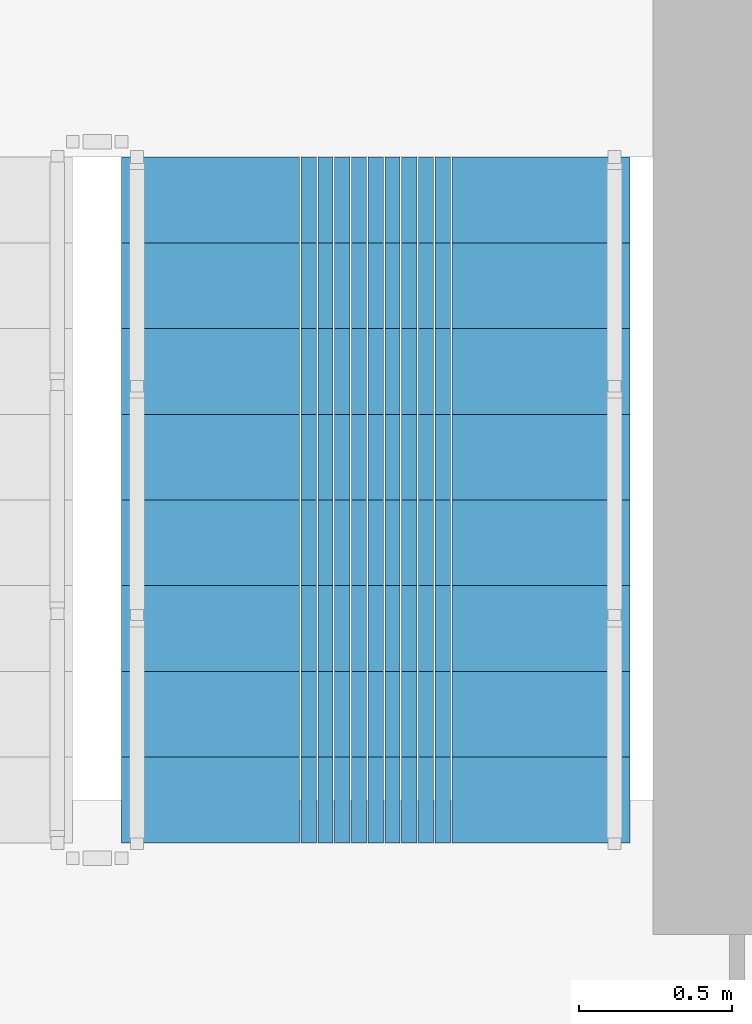
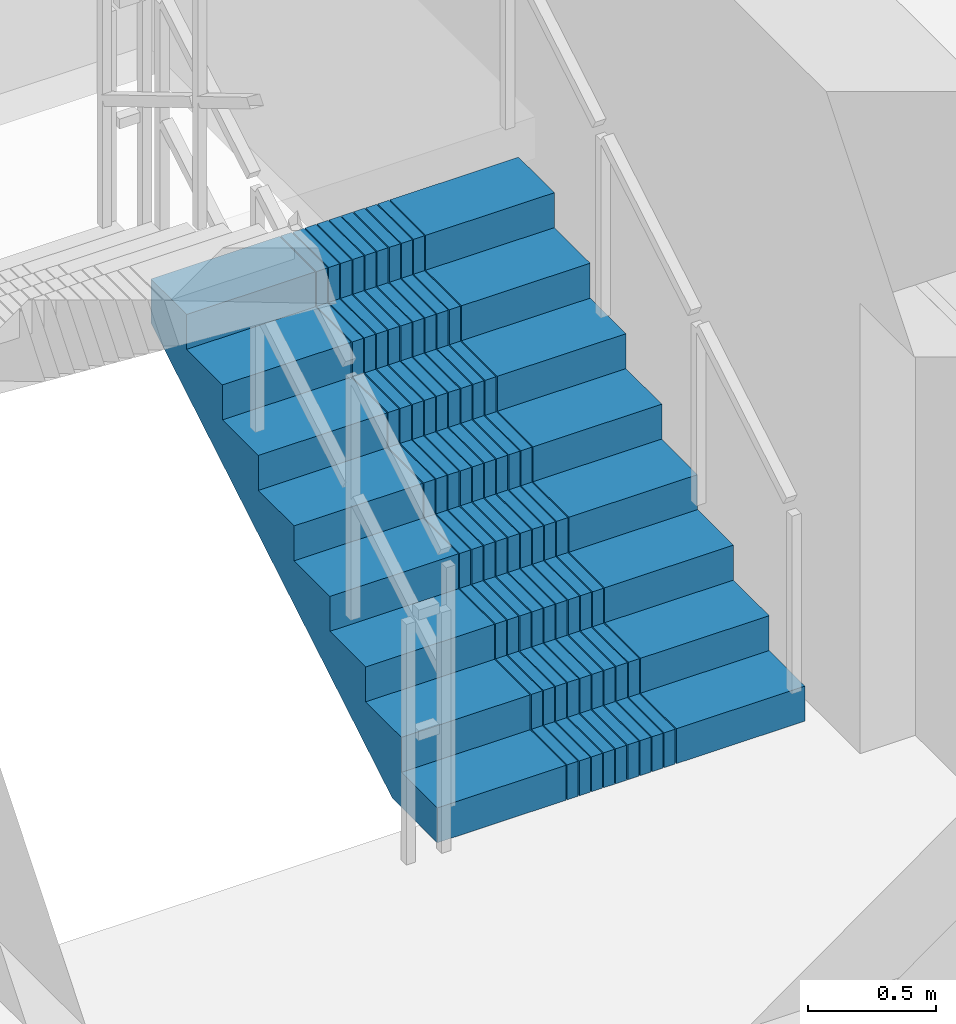
# One storey, part 10 of 14: 1 stair flight, 1 element without a shape of its own.
"""IFC4 building model written with IfcOpenShell, lengths in metres."""

from ifc_helpers import new_model, si_unit, direction, frame, origin, place, context, subcontext, project, spatial, polyline, outline, extrude, material, type_object, element, aggregate, save


model = new_model("IFC4")

# Units and contexts
model_context = context("Model", 3, precision=1e-05, world=origin(), true_north=direction((0.0, 1.0)))
body_context = subcontext(model_context, "Body", "Model", "MODEL_VIEW")
ifc_project = project(units=[si_unit("LENGTHUNIT", "METRE"), si_unit("AREAUNIT", "SQUARE_METRE"), si_unit("VOLUMEUNIT", "CUBIC_METRE"), si_unit("PLANEANGLEUNIT", "RADIAN"), si_unit("MASSUNIT", "GRAM", prefix="KILO")], contexts=[model_context])

# Site, building, storey
site_placement = place(None, origin())
site = spatial("IfcSite", under=ifc_project, at=site_placement, CompositionType="ELEMENT")
building_placement = place(site_placement, origin())
building = spatial("IfcBuilding", under=site, at=building_placement, Name="Saelheon Loggia Tower", CompositionType="ELEMENT")
storey_placement = place(building_placement, frame((0.0, 0.0, 86.85009765625)))
storey = spatial("IfcBuildingStorey", under=building, at=storey_placement, Name="L27", CompositionType="ELEMENT", Elevation=86.85009765625)

# Stair, stair flight
ifc_material = material(Name="Concrete C40/50", Category="concrete")
stair_type = type_object("IfcStairType", Name="Stair_Escape_Core", PredefinedType="HALF_TURN_STAIR", material=ifc_material)
stair_placement = place(storey_placement, origin())
stair = element("IfcStair", 1, at=stair_placement, inside=storey, type_object=stair_type, Name="L27 Special Escape Stair ST2", PredefinedType="HALF_TURN_STAIR")
stair_flight_type = type_object("IfcStairFlightType", Name="StairFlight_Tower_1660", PredefinedType="STRAIGHT", material=ifc_material)
stair_flight_placement = place(storey_placement, frame((43.320068359375, 30.449951171875, 0.0), z_axis=(0.0, 0.0, 1.0), x_axis=(0.0, 1.0, 0.0)))
stair_flight = element("IfcStairFlight", 2, at=stair_flight_placement, type_object=stair_flight_type, Name="ST2 flight 1", NumberOfRisers=9, NumberOfTreads=8, PredefinedType="STRAIGHT", RiserHeight=0.166666667, TreadLength=0.28, context=body_context, shape_type="SweptSolid", body=[
    extrude(outline(polyline([(0.0, 0.0), (0.0, 0.166748046875), (0.280029296875, 0.166748046875), (0.280029296875, 0.333251953125), (0.56005859375, 0.333251953125), (0.56005859375, 0.5), (0.840087890625, 0.5), (0.840087890625, 0.666748046875), (1.1201171875, 0.666748046875), (1.1201171875, 0.833251953125), (1.39990234375, 0.833251953125), (1.39990234375, 1.0), (1.679931640625, 1.0), (1.679931640625, 1.166748046875), (1.9599609375, 1.166748046875), (1.9599609375, 1.333251953125), (2.239990234375, 1.333251953125), (2.239990234375, 1.5), (2.239990234375, 1.1240234375), (0.351806640625, 0.0), (0.0, 0.0)])), frame((0.0, -0.2490234375, 0.0), z_axis=(0.0, -1.0, 0.0), x_axis=(1.0, 0.0, 0.0)), (0.0, 0.0, 1.0), 0.5810546875),
    extrude(outline(polyline([(0.0, 0.0), (0.0, 0.166748046875), (0.280029296875, 0.166748046875), (0.280029296875, 0.333251953125), (0.56005859375, 0.333251953125), (0.56005859375, 0.5), (0.840087890625, 0.5), (0.840087890625, 0.666748046875), (1.1201171875, 0.666748046875), (1.1201171875, 0.833251953125), (1.39990234375, 0.833251953125), (1.39990234375, 1.0), (1.679931640625, 1.0), (1.679931640625, 1.166748046875), (1.9599609375, 1.166748046875), (1.9599609375, 1.333251953125), (2.239990234375, 1.333251953125), (2.239990234375, 1.5), (2.239990234375, 1.1240234375), (0.351806640625, 0.0), (0.0, 0.0)])), frame((0.0, -0.194091796875, 0.0), z_axis=(0.0, -1.0, 0.0), x_axis=(1.0, 0.0, 0.0)), (0.0, 0.0, 1.0), 0.0498046875),
    extrude(outline(polyline([(0.0, 0.0), (0.0, 0.166748046875), (0.280029296875, 0.166748046875), (0.280029296875, 0.333251953125), (0.56005859375, 0.333251953125), (0.56005859375, 0.5), (0.840087890625, 0.5), (0.840087890625, 0.666748046875), (1.1201171875, 0.666748046875), (1.1201171875, 0.833251953125), (1.39990234375, 0.833251953125), (1.39990234375, 1.0), (1.679931640625, 1.0), (1.679931640625, 1.166748046875), (1.9599609375, 1.166748046875), (1.9599609375, 1.333251953125), (2.239990234375, 1.333251953125), (2.239990234375, 1.5), (2.239990234375, 1.1240234375), (0.351806640625, 0.0), (0.0, 0.0)])), frame((0.0, -0.139404296875, 0.0), z_axis=(0.0, -1.0, 0.0), x_axis=(1.0, 0.0, 0.0)), (0.0, 0.0, 1.0), 0.0498046875),
    extrude(outline(polyline([(0.0, 0.0), (0.0, 0.166748046875), (0.280029296875, 0.166748046875), (0.280029296875, 0.333251953125), (0.56005859375, 0.333251953125), (0.56005859375, 0.5), (0.840087890625, 0.5), (0.840087890625, 0.666748046875), (1.1201171875, 0.666748046875), (1.1201171875, 0.833251953125), (1.39990234375, 0.833251953125), (1.39990234375, 1.0), (1.679931640625, 1.0), (1.679931640625, 1.166748046875), (1.9599609375, 1.166748046875), (1.9599609375, 1.333251953125), (2.239990234375, 1.333251953125), (2.239990234375, 1.5), (2.239990234375, 1.1240234375), (0.351806640625, 0.0), (0.0, 0.0)])), frame((0.0, -0.084716796875, 0.0), z_axis=(0.0, -1.0, 0.0), x_axis=(1.0, 0.0, 0.0)), (0.0, 0.0, 1.0), 0.0498046875),
    extrude(outline(polyline([(0.0, 0.0), (0.0, 0.166748046875), (0.280029296875, 0.166748046875), (0.280029296875, 0.333251953125), (0.56005859375, 0.333251953125), (0.56005859375, 0.5), (0.840087890625, 0.5), (0.840087890625, 0.666748046875), (1.1201171875, 0.666748046875), (1.1201171875, 0.833251953125), (1.39990234375, 0.833251953125), (1.39990234375, 1.0), (1.679931640625, 1.0), (1.679931640625, 1.166748046875), (1.9599609375, 1.166748046875), (1.9599609375, 1.333251953125), (2.239990234375, 1.333251953125), (2.239990234375, 1.5), (2.239990234375, 1.1240234375), (0.351806640625, 0.0), (0.0, 0.0)])), frame((0.0, -0.02978515625, 0.0), z_axis=(0.0, -1.0, 0.0), x_axis=(1.0, 0.0, 0.0)), (0.0, 0.0, 1.0), 0.0498046875),
    extrude(outline(polyline([(0.0, 0.0), (0.0, 0.166748046875), (0.280029296875, 0.166748046875), (0.280029296875, 0.333251953125), (0.56005859375, 0.333251953125), (0.56005859375, 0.5), (0.840087890625, 0.5), (0.840087890625, 0.666748046875), (1.1201171875, 0.666748046875), (1.1201171875, 0.833251953125), (1.39990234375, 0.833251953125), (1.39990234375, 1.0), (1.679931640625, 1.0), (1.679931640625, 1.166748046875), (1.9599609375, 1.166748046875), (1.9599609375, 1.333251953125), (2.239990234375, 1.333251953125), (2.239990234375, 1.5), (2.239990234375, 1.1240234375), (0.351806640625, 0.0), (0.0, 0.0)])), frame((0.0, 0.02490234375, 0.0), z_axis=(0.0, -1.0, 0.0), x_axis=(1.0, 0.0, 0.0)), (0.0, 0.0, 1.0), 0.0498046875),
    extrude(outline(polyline([(0.0, 0.0), (0.0, 0.166748046875), (0.280029296875, 0.166748046875), (0.280029296875, 0.333251953125), (0.56005859375, 0.333251953125), (0.56005859375, 0.5), (0.840087890625, 0.5), (0.840087890625, 0.666748046875), (1.1201171875, 0.666748046875), (1.1201171875, 0.833251953125), (1.39990234375, 0.833251953125), (1.39990234375, 1.0), (1.679931640625, 1.0), (1.679931640625, 1.166748046875), (1.9599609375, 1.166748046875), (1.9599609375, 1.333251953125), (2.239990234375, 1.333251953125), (2.239990234375, 1.5), (2.239990234375, 1.1240234375), (0.351806640625, 0.0), (0.0, 0.0)])), frame((0.0, 0.07958984375, 0.0), z_axis=(0.0, -1.0, 0.0), x_axis=(1.0, 0.0, 0.0)), (0.0, 0.0, 1.0), 0.0498046875),
    extrude(outline(polyline([(0.0, 0.0), (0.0, 0.166748046875), (0.280029296875, 0.166748046875), (0.280029296875, 0.333251953125), (0.56005859375, 0.333251953125), (0.56005859375, 0.5), (0.840087890625, 0.5), (0.840087890625, 0.666748046875), (1.1201171875, 0.666748046875), (1.1201171875, 0.833251953125), (1.39990234375, 0.833251953125), (1.39990234375, 1.0), (1.679931640625, 1.0), (1.679931640625, 1.166748046875), (1.9599609375, 1.166748046875), (1.9599609375, 1.333251953125), (2.239990234375, 1.333251953125), (2.239990234375, 1.5), (2.239990234375, 1.1240234375), (0.351806640625, 0.0), (0.0, 0.0)])), frame((0.0, 0.134521484375, 0.0), z_axis=(0.0, -1.0, 0.0), x_axis=(1.0, 0.0, 0.0)), (0.0, 0.0, 1.0), 0.0498046875),
    extrude(outline(polyline([(0.0, 0.0), (0.0, 0.166748046875), (0.280029296875, 0.166748046875), (0.280029296875, 0.333251953125), (0.56005859375, 0.333251953125), (0.56005859375, 0.5), (0.840087890625, 0.5), (0.840087890625, 0.666748046875), (1.1201171875, 0.666748046875), (1.1201171875, 0.833251953125), (1.39990234375, 0.833251953125), (1.39990234375, 1.0), (1.679931640625, 1.0), (1.679931640625, 1.166748046875), (1.9599609375, 1.166748046875), (1.9599609375, 1.333251953125), (2.239990234375, 1.333251953125), (2.239990234375, 1.5), (2.239990234375, 1.1240234375), (0.351806640625, 0.0), (0.0, 0.0)])), frame((0.0, 0.189208984375, 0.0), z_axis=(0.0, -1.0, 0.0), x_axis=(1.0, 0.0, 0.0)), (0.0, 0.0, 1.0), 0.0498046875),
    extrude(outline(polyline([(0.0, 0.0), (0.0, 0.166748046875), (0.280029296875, 0.166748046875), (0.280029296875, 0.333251953125), (0.56005859375, 0.333251953125), (0.56005859375, 0.5), (0.840087890625, 0.5), (0.840087890625, 0.666748046875), (1.1201171875, 0.666748046875), (1.1201171875, 0.833251953125), (1.39990234375, 0.833251953125), (1.39990234375, 1.0), (1.679931640625, 1.0), (1.679931640625, 1.166748046875), (1.9599609375, 1.166748046875), (1.9599609375, 1.333251953125), (2.239990234375, 1.333251953125), (2.239990234375, 1.5), (2.239990234375, 1.1240234375), (0.351806640625, 0.0), (0.0, 0.0)])), frame((0.0, 0.243896484375, 0.0), z_axis=(0.0, -1.0, 0.0), x_axis=(1.0, 0.0, 0.0)), (0.0, 0.0, 1.0), 0.0498046875),
    extrude(outline(polyline([(0.0, 0.0), (0.0, 0.166748046875), (0.280029296875, 0.166748046875), (0.280029296875, 0.333251953125), (0.56005859375, 0.333251953125), (0.56005859375, 0.5), (0.840087890625, 0.5), (0.840087890625, 0.666748046875), (1.1201171875, 0.666748046875), (1.1201171875, 0.833251953125), (1.39990234375, 0.833251953125), (1.39990234375, 1.0), (1.679931640625, 1.0), (1.679931640625, 1.166748046875), (1.9599609375, 1.166748046875), (1.9599609375, 1.333251953125), (2.239990234375, 1.333251953125), (2.239990234375, 1.5), (2.239990234375, 1.1240234375), (0.351806640625, 0.0), (0.0, 0.0)])), frame((0.0, 0.830078125, 0.0), z_axis=(0.0, -1.0, 0.0), x_axis=(1.0, 0.0, 0.0)), (0.0, 0.0, 1.0), 0.5810546875),
])
aggregate(stair, [stair_flight])

save(model, "model.ifc")
